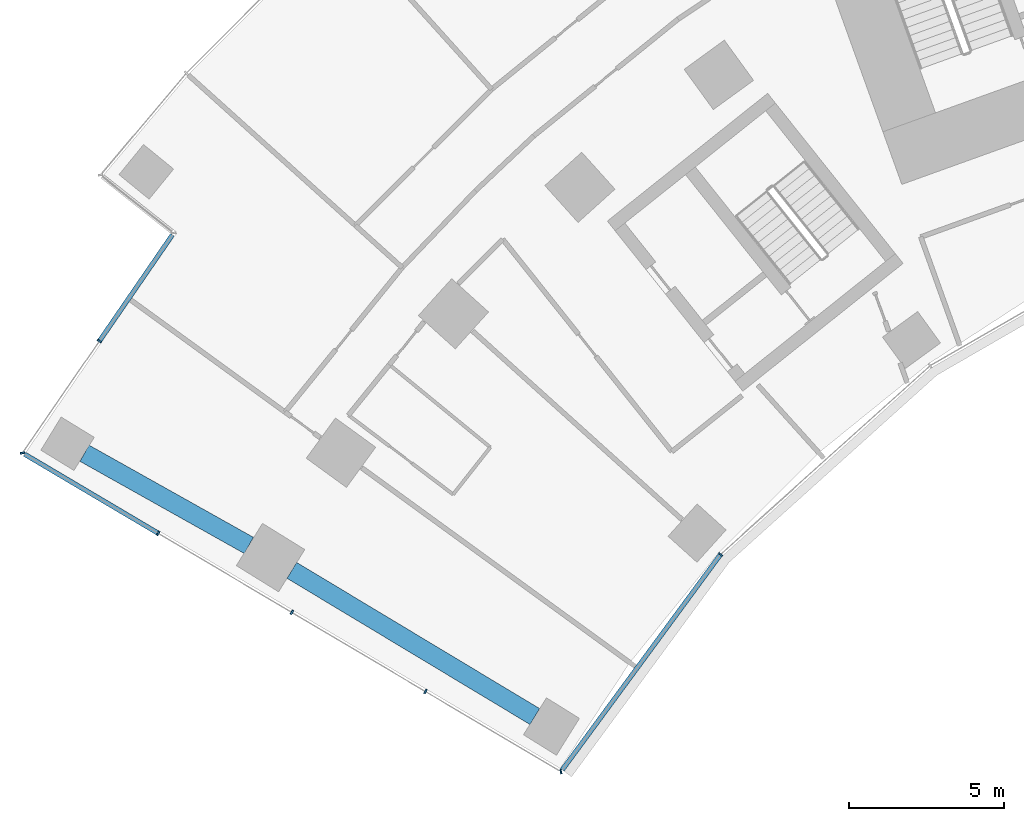
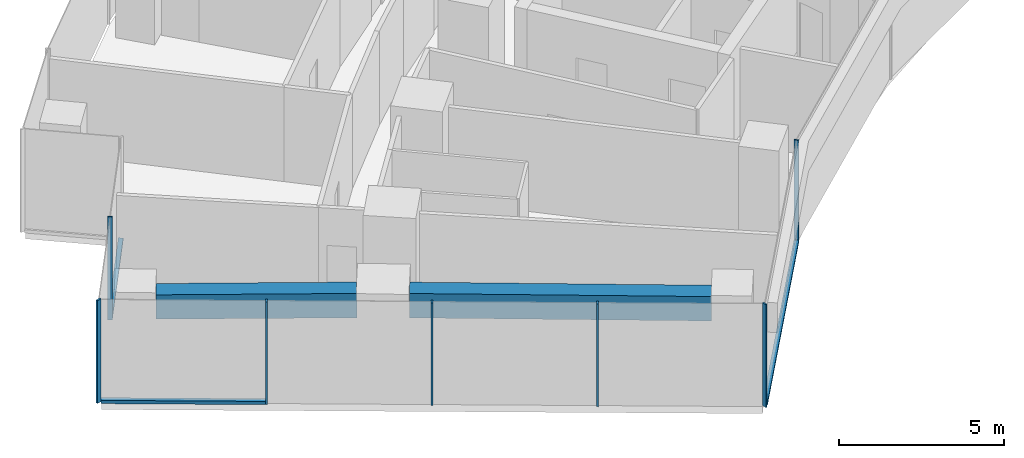
# One storey, part 2 of 21: 10 members, 2 beams, 3 elements without a shape of their own.
"""IFC4 building model written with IfcOpenShell, lengths in metres."""

from ifc_helpers import new_model, si_unit, direction, frame, origin, origin_2d, place, context, subcontext, project, spatial, rectangle, extrude, material, layer, layer_set, material_profile, profile_set, type_object, element, aggregate, save


model = new_model("IFC4")

# Units and contexts
model_context = context("Model", 3, precision=1e-05, world=origin(), true_north=direction((0.0, 1.0)))
body_context = subcontext(model_context, "Body", "Model", "MODEL_VIEW")
ifc_project = project(units=[si_unit("LENGTHUNIT", "METRE"), si_unit("AREAUNIT", "SQUARE_METRE"), si_unit("VOLUMEUNIT", "CUBIC_METRE"), si_unit("PLANEANGLEUNIT", "RADIAN"), si_unit("MASSUNIT", "GRAM", prefix="KILO")], contexts=[model_context])

# Site, building, storey
site_placement = place(None, origin())
site = spatial("IfcSite", under=ifc_project, at=site_placement, CompositionType="ELEMENT")
building_placement = place(site_placement, origin())
building = spatial("IfcBuilding", under=site, at=building_placement, Name="Stone Belt Terrace Tower", CompositionType="ELEMENT")
storey_placement = place(building_placement, frame((0.0, 0.0, 71.800048828125)))
storey = spatial("IfcBuildingStorey", under=building, at=storey_placement, Name="L17", CompositionType="ELEMENT", Elevation=71.800048828125)

# Curtain wall, members
ifc_material_1 = material(Name="Aluminium 6063-T6 anodised frame", Category="aluminium")
ifc_layer_1 = layer(ifc_material_1, 0.14990234375)
ifc_layer_set_1 = layer_set([ifc_layer_1], Name="CW-B unitised concave-face curtain wall")
curtain_wall_type_1 = type_object("IfcCurtainWallType", Name="CW-B unitised concave-face curtain wall", PredefinedType="NOTDEFINED", material=ifc_layer_set_1)
curtain_wall_1_placement = place(storey_placement, origin())
curtain_wall_1 = element("IfcCurtainWall", 1, at=curtain_wall_1_placement, inside=storey, type_object=curtain_wall_type_1, Name="CW-B concave face L17", PredefinedType="NOTDEFINED")
ifc_material_profile_1 = material_profile(ifc_material_1, rectangle(XDim=0.14990234375, YDim=0.050048828125, at=origin_2d()), Name="Aluminium 6063-T6 50x150")
ifc_profile_set_1 = profile_set([ifc_material_profile_1], Name="Aluminium 6063-T6 anodised frame")
member_type_1 = type_object("IfcMemberType", Name="CW-B mullion 50 x 150", PredefinedType="MULLION", material=ifc_profile_set_1)
member_1_placement = place(storey_placement, frame((-37.4140625, 22.0576171875, 0.0), z_axis=(0.0, 0.0, 1.0), x_axis=(-0.199957039009, 0.979804665508, 0.0)))
member_1 = element("IfcMember", 2, at=member_1_placement, type_object=member_type_1, Name="CW-B mullion 1", PredefinedType="MULLION", context=body_context, shape_type="SweptSolid", body=[
    extrude(rectangle(XDim=0.14990234375, YDim=0.050048828125, at=origin_2d()), origin(), (0.0, 0.0, 1.0), 3.800048828125),
])
member_2_placement = place(storey_placement, frame((-32.27099609375, 29.056640625, 0.0), z_axis=(0.0, 0.0, 1.0), x_axis=(-0.741329775891, 0.671140941515, 0.0)))
member_2 = element("IfcMember", 3, at=member_2_placement, type_object=member_type_1, Name="CW-B mullion 2", PredefinedType="MULLION", context=body_context, shape_type="SweptSolid", body=[
    extrude(rectangle(XDim=0.14990234375, YDim=0.050048828125, at=origin_2d()), origin(), (0.0, 0.0, 1.0), 3.800048828125),
])
ifc_material_profile_2 = material_profile(ifc_material_1, rectangle(XDim=0.14990234375, YDim=0.1201171875, at=origin_2d()), Name="Aluminium 6063-T6 150x120")
ifc_profile_set_2 = profile_set([ifc_material_profile_2], Name="Aluminium 6063-T6 anodised frame")
member_type_2 = type_object("IfcMemberType", Name="CW-B transom 120 x 150", PredefinedType="USERDEFINED", material=ifc_profile_set_2)
member_3_placement = place(storey_placement, frame((-37.373291015625, 22.11328125, 0.06005859375), z_axis=(0.592180847905, 0.805805090189, 0.0), x_axis=(-0.805805090189, 0.592180847905, 0.0)))
member_3 = element("IfcMember", 4, at=member_3_placement, type_object=member_type_2, Name="CW-B transom 1.1", ObjectType="TRANSOM", PredefinedType="USERDEFINED", context=body_context, shape_type="SweptSolid", body=[
    extrude(rectangle(XDim=0.14990234375, YDim=0.1201171875, at=origin_2d()), origin(), (0.0, 0.0, 1.0), 8.583984375),
])
aggregate(curtain_wall_1, [member_1, member_2, member_3])

# Curtain wall, member
ifc_layer_2 = layer(ifc_material_1, 0.14990234375)
ifc_layer_set_2 = layer_set([ifc_layer_2], Name="CW-C stick curtain wall, horn ends and notches")
curtain_wall_type_2 = type_object("IfcCurtainWallType", Name="CW-C stick curtain wall, horn ends and notches", PredefinedType="NOTDEFINED", material=ifc_layer_set_2)
curtain_wall_2_placement = place(storey_placement, origin())
curtain_wall_2 = element("IfcCurtainWall", 5, at=curtain_wall_2_placement, inside=storey, type_object=curtain_wall_type_2, Name="CW-C notch face L17", PredefinedType="NOTDEFINED")
ifc_material_profile_3 = material_profile(ifc_material_1, rectangle(XDim=0.14990234375, YDim=0.06005859375, at=origin_2d()), Name="Aluminium 6063-T6 60x150")
ifc_profile_set_3 = profile_set([ifc_material_profile_3], Name="Aluminium 6063-T6 anodised frame")
member_type_3 = type_object("IfcMemberType", Name="CW-C mullion 60 x 150", PredefinedType="MULLION", material=ifc_profile_set_3)
member_4_placement = place(storey_placement, frame((-52.275390625, 35.925048828125, 0.0), z_axis=(0.0, 0.0, 1.0), x_axis=(0.824146991357, -0.566375967567, 0.0)))
member_4 = element("IfcMember", 6, at=member_4_placement, type_object=member_type_3, Name="CW-C mullion 2", PredefinedType="MULLION", context=body_context, shape_type="SweptSolid", body=[
    extrude(rectangle(XDim=0.14990234375, YDim=0.06005859375, at=origin_2d()), origin(), (0.0, 0.0, 1.0), 3.800048828125),
])

# Curtain wall, members
curtain_wall_3_placement = place(storey_placement, origin())
curtain_wall_3 = element("IfcCurtainWall", 7, at=curtain_wall_3_placement, inside=storey, type_object=curtain_wall_type_2, Name="CW-C end face L17", PredefinedType="NOTDEFINED")
member_5_placement = place(storey_placement, frame((-54.752685546875, 32.3203125, 0.0), z_axis=(0.0, 0.0, 1.0), x_axis=(0.976519557331, 0.215428768157, 0.0)))
member_5 = element("IfcMember", 8, at=member_5_placement, type_object=member_type_3, Name="CW-C mullion 1", PredefinedType="MULLION", context=body_context, shape_type="SweptSolid", body=[
    extrude(rectangle(XDim=0.14990234375, YDim=0.06005859375, at=origin_2d()), origin(), (0.0, 0.0, 1.0), 3.800048828125),
])
member_6_placement = place(storey_placement, frame((-50.380859375, 29.732666015625, 0.0), z_axis=(0.0, 0.0, 1.0), x_axis=(0.509352918793, 0.860557728521, 0.0)))
member_6 = element("IfcMember", 9, at=member_6_placement, type_object=member_type_3, Name="CW-C mullion 2", PredefinedType="MULLION", context=body_context, shape_type="SweptSolid", body=[
    extrude(rectangle(XDim=0.14990234375, YDim=0.06005859375, at=origin_2d()), origin(), (0.0, 0.0, 1.0), 3.800048828125),
])
member_7_placement = place(storey_placement, frame((-46.078125, 27.185791015625, 0.0), z_axis=(0.0, 0.0, 1.0), x_axis=(0.509352918793, 0.860557728521, 0.0)))
member_7 = element("IfcMember", 10, at=member_7_placement, type_object=member_type_3, Name="CW-C mullion 3", PredefinedType="MULLION", context=body_context, shape_type="SweptSolid", body=[
    extrude(rectangle(XDim=0.14990234375, YDim=0.06005859375, at=origin_2d()), origin(), (0.0, 0.0, 1.0), 3.800048828125),
])
member_8_placement = place(storey_placement, frame((-41.775146484375, 24.63916015625, 0.0), z_axis=(0.0, 0.0, 1.0), x_axis=(0.509352918793, 0.860557728521, 0.0)))
member_8 = element("IfcMember", 11, at=member_8_placement, type_object=member_type_3, Name="CW-C mullion 4", PredefinedType="MULLION", context=body_context, shape_type="SweptSolid", body=[
    extrude(rectangle(XDim=0.14990234375, YDim=0.06005859375, at=origin_2d()), origin(), (0.0, 0.0, 1.0), 3.800048828125),
])

# Member
ifc_material_profile_4 = material_profile(ifc_material_1, rectangle(XDim=0.14990234375, YDim=0.1201171875, at=origin_2d()), Name="Aluminium 6063-T6 150x120")
ifc_profile_set_4 = profile_set([ifc_material_profile_4], Name="Aluminium 6063-T6 anodised frame")
member_type_4 = type_object("IfcMemberType", Name="CW-C transom 120 x 150", PredefinedType="USERDEFINED", material=ifc_profile_set_4)
member_9_placement = place(storey_placement, frame((-49.924560546875, 39.345703125, 0.06005859375), z_axis=(-0.566362850847, -0.824156005365, 0.0), x_axis=(0.824156005365, -0.566362850847, 0.0)))
member_9 = element("IfcMember", 12, at=member_9_placement, type_object=member_type_4, Name="CW-C transom 1.1", ObjectType="TRANSOM", PredefinedType="USERDEFINED", context=body_context, shape_type="SweptSolid", body=[
    extrude(rectangle(XDim=0.14990234375, YDim=0.1201171875, at=origin_2d()), origin(), (0.0, 0.0, 1.0), 4.12060546875),
])

aggregate(curtain_wall_2, [member_4, member_9])

member_10_placement = place(storey_placement, frame((-54.68798828125, 32.281982421875, 0.06005859375), z_axis=(0.860543319846, -0.509377261633, 0.0), x_axis=(0.509377261633, 0.860543319846, 0.0)))
member_10 = element("IfcMember", 13, at=member_10_placement, type_object=member_type_4, Name="CW-C transom 1.1", ObjectType="TRANSOM", PredefinedType="USERDEFINED", context=body_context, shape_type="SweptSolid", body=[
    extrude(rectangle(XDim=0.14990234375, YDim=0.1201171875, at=origin_2d()), origin(), (0.0, 0.0, 1.0), 4.97509765625),
])

aggregate(curtain_wall_3, [member_5, member_6, member_7, member_8, member_10])

# Beams
ifc_material_2 = material(Name="Concrete B60", Category="concrete")
ifc_material_profile_5 = material_profile(ifc_material_2, rectangle(XDim=0.60009765625, YDim=0.89990234375, at=origin_2d()), Name="RC 600x900")
ifc_profile_set_5 = profile_set([ifc_material_profile_5], Name="Concrete B60")
beam_type = type_object("IfcBeamType", Name="Edge beam RC 600x900 B60", PredefinedType="SPANDREL", material=ifc_profile_set_5)
beam_1_placement = place(storey_placement, frame((-38.253662109375, 23.83203125, 3.030029296875), z_axis=(-0.856900189152, 0.51548236229, 0.0), x_axis=(-0.51548236229, -0.856900189152, 0.0)))
element("IfcBeam", 14, at=beam_1_placement, inside=storey, type_object=beam_type, Name="Edge beam L17 A P to Q", PredefinedType="SPANDREL", context=body_context, shape_type="SweptSolid", body=[
    extrude(rectangle(XDim=0.60009765625, YDim=0.89990234375, at=origin_2d()), origin(), (0.0, 0.0, 1.0), 9.130859375),
])
beam_2_placement = place(storey_placement, frame((-47.4619140625, 29.3427734375, 3.030029296875), z_axis=(-0.872212947991, 0.489126336806, 0.0), x_axis=(-0.489126336806, -0.872212947991, 0.0)))
element("IfcBeam", 15, at=beam_2_placement, inside=storey, type_object=beam_type, Name="Edge beam L17 A Q to R", PredefinedType="SPANDREL", context=body_context, shape_type="SweptSolid", body=[
    extrude(rectangle(XDim=0.60009765625, YDim=0.89990234375, at=origin_2d()), origin(), (0.0, 0.0, 1.0), 6.069091796875),
])

save(model, "model.ifc")
